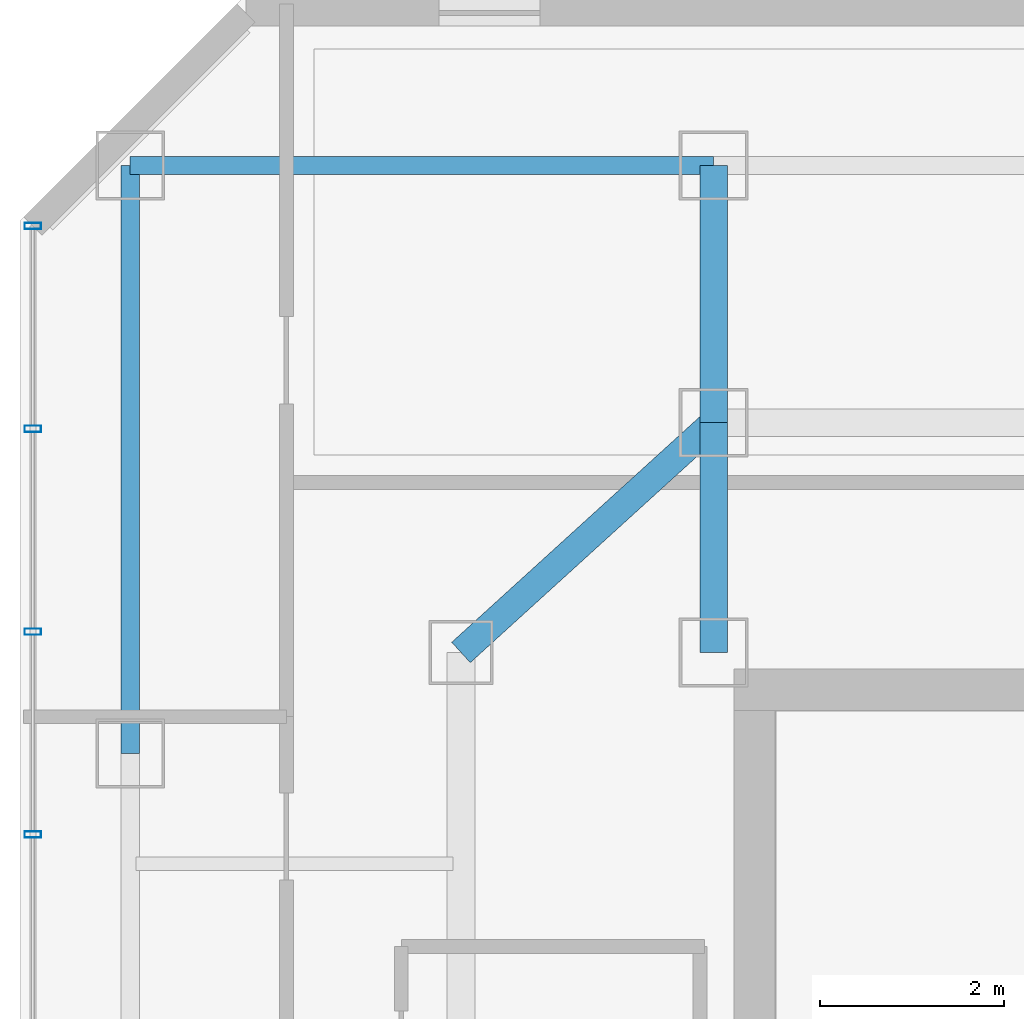
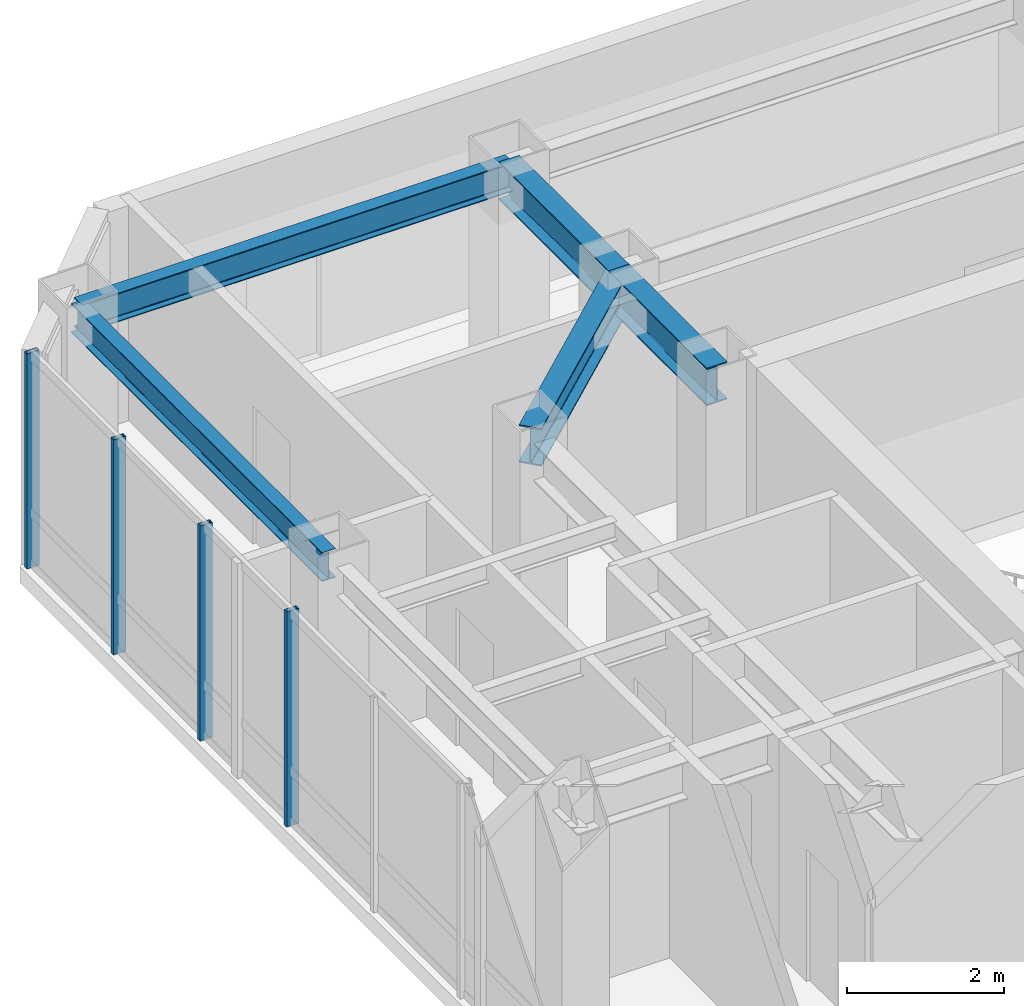
# One storey, part 15 of 24: 5 beams, 4 members, 1 element without a shape of its own.
"""IFC4 building model written with IfcOpenShell, lengths in metres."""

from ifc_helpers import new_model, si_unit, direction, frame, origin, origin_2d, place, context, subcontext, project, spatial, hollow_rectangle, i_section, extrude, material, layer, layer_set, material_profile, profile_set, type_object, element, aggregate, save


model = new_model("IFC4")

# Units and contexts
model_context = context("Model", 3, precision=1e-05, world=origin(), true_north=direction((0.0, 1.0)))
body_context = subcontext(model_context, "Body", "Model", "MODEL_VIEW")
ifc_project = project(units=[si_unit("LENGTHUNIT", "METRE"), si_unit("AREAUNIT", "SQUARE_METRE"), si_unit("VOLUMEUNIT", "CUBIC_METRE"), si_unit("PLANEANGLEUNIT", "RADIAN"), si_unit("MASSUNIT", "GRAM", prefix="KILO")], contexts=[model_context])

# Site, building, storey
site_placement = place(None, origin())
site = spatial("IfcSite", under=ifc_project, at=site_placement, CompositionType="ELEMENT")
building_placement = place(site_placement, origin())
building = spatial("IfcBuilding", under=site, at=building_placement, Name="Hatsunagi Terrace Concourse", CompositionType="ELEMENT")
storey_placement = place(building_placement, frame((0.0, 0.0, 213.14990234375)))
storey = spatial("IfcBuildingStorey", under=building, at=storey_placement, Name="L56", CompositionType="ELEMENT", Elevation=213.14990234375)

# Curtain wall, members
ifc_material_1 = material(Name="Anodised Aluminium Alloy 6063-T5", Category="aluminium")
ifc_layer = layer(ifc_material_1, 0.199951171875)
ifc_layer_set = layer_set([ifc_layer], Name="OfficeZone2_CW04")
curtain_wall_type = type_object("IfcCurtainWallType", Name="OfficeZone2_CW04", PredefinedType="NOTDEFINED", material=ifc_layer_set)
curtain_wall_placement = place(storey_placement, origin())
curtain_wall = element("IfcCurtainWall", 1, at=curtain_wall_placement, inside=storey, type_object=curtain_wall_type, Name="Unitised Curtain Wall CW-04 CW-L56-08", PredefinedType="NOTDEFINED")
ifc_material_2 = material(Name="Anodised Aluminium Alloy 6063-T5", Category="aluminium")
ifc_material_profile_1 = material_profile(ifc_material_2, hollow_rectangle(XDim=0.070068359375, YDim=0.179931640625, WallThickness=0.00390625, at=origin_2d()), Name="ALU-MUL-180x70x4")
ifc_profile_set_1 = profile_set([ifc_material_profile_1], Name="Anodised Aluminium Alloy 6063-T5")
member_type = type_object("IfcMemberType", Name="CurtainWallMullion_180x70", PredefinedType="MULLION", material=ifc_profile_set_1)
member_1_placement = place(storey_placement, frame((18.139892578125, 41.31689453125, 0.0), z_axis=(0.0, 0.0, 1.0), x_axis=(0.0, 1.0, 0.0)))
member_1 = element("IfcMember", 2, at=member_1_placement, type_object=member_type, Name="Curtain Wall Mullion MUL-02", PredefinedType="MULLION", context=body_context, shape_type="SweptSolid", body=[
    extrude(hollow_rectangle(XDim=0.070068359375, YDim=0.179931640625, WallThickness=0.00390625, at=origin_2d()), origin(), (0.0, 0.0, 1.0), 3.35009765625),
])
member_2_placement = place(storey_placement, frame((18.139892578125, 43.52490234375, 0.0), z_axis=(0.0, 0.0, 1.0), x_axis=(0.0, 1.0, 0.0)))
member_2 = element("IfcMember", 3, at=member_2_placement, type_object=member_type, Name="Curtain Wall Mullion MUL-02", PredefinedType="MULLION", context=body_context, shape_type="SweptSolid", body=[
    extrude(hollow_rectangle(XDim=0.070068359375, YDim=0.179931640625, WallThickness=0.00390625, at=origin_2d()), origin(), (0.0, 0.0, 1.0), 3.35009765625),
])
member_3_placement = place(storey_placement, frame((18.139892578125, 45.73388671875, 0.0), z_axis=(0.0, 0.0, 1.0), x_axis=(0.0, 1.0, 0.0)))
member_3 = element("IfcMember", 4, at=member_3_placement, type_object=member_type, Name="Curtain Wall Mullion MUL-02", PredefinedType="MULLION", context=body_context, shape_type="SweptSolid", body=[
    extrude(hollow_rectangle(XDim=0.070068359375, YDim=0.179931640625, WallThickness=0.00390625, at=origin_2d()), origin(), (0.0, 0.0, 1.0), 3.35009765625),
])
member_4_placement = place(storey_placement, frame((18.139892578125, 47.94189453125, 0.0), z_axis=(0.0, 0.0, 1.0), x_axis=(0.0, 1.0, 0.0)))
member_4 = element("IfcMember", 5, at=member_4_placement, type_object=member_type, Name="Curtain Wall Mullion MUL-02", PredefinedType="MULLION", context=body_context, shape_type="SweptSolid", body=[
    extrude(hollow_rectangle(XDim=0.070068359375, YDim=0.179931640625, WallThickness=0.00390625, at=origin_2d()), origin(), (0.0, 0.0, 1.0), 3.35009765625),
])
aggregate(curtain_wall, [member_1, member_2, member_3, member_4])

# Beams
ifc_material_3 = material(Name="Steel SN490B", Category="steel")
ifc_material_profile_2 = material_profile(ifc_material_3, i_section(OverallWidth=0.300048828125, OverallDepth=0.587890625, WebThickness=0.011962890625, FlangeThickness=0.02001953125, FilletRadius=0.01806640625, at=origin_2d()), Name="H-588x300x12x20")
ifc_profile_set_2 = profile_set([ifc_material_profile_2], Name="Steel SN490B")
beam_type_1 = type_object("IfcBeamType", Name="OfficeHighGirder_H_588x300", PredefinedType="BEAM", material=ifc_profile_set_2)
beam_1_placement = place(storey_placement, frame((25.550048828125, 43.300048828125, 3.05615234375), z_axis=(0.0, 1.0, 0.0), x_axis=(-1.0, 0.0, 0.0)))
element("IfcBeam", 6, at=beam_1_placement, inside=storey, type_object=beam_type_1, Name="Beam G-06 BM-L56-CN1", PredefinedType="BEAM", context=body_context, shape_type="SweptSolid", body=[
    extrude(i_section(OverallWidth=0.300048828125, OverallDepth=0.587890625, WebThickness=0.011962890625, FlangeThickness=0.02001953125, FilletRadius=0.01806640625, at=origin_2d()), origin(), (0.0, 0.0, 1.0), 2.5),
])
beam_2_placement = place(storey_placement, frame((25.550048828125, 45.800048828125, 3.05615234375), z_axis=(0.0, 1.0, 0.0), x_axis=(-1.0, 0.0, 0.0)))
element("IfcBeam", 7, at=beam_2_placement, inside=storey, type_object=beam_type_1, Name="Beam G-06 BM-L56-KN-WN4", PredefinedType="BEAM", context=body_context, shape_type="SweptSolid", body=[
    extrude(i_section(OverallWidth=0.300048828125, OverallDepth=0.587890625, WebThickness=0.011962890625, FlangeThickness=0.02001953125, FilletRadius=0.01806640625, at=origin_2d()), origin(), (0.0, 0.0, 1.0), 2.800048828125),
])
beam_3_placement = place(storey_placement, frame((22.800048828125, 43.300048828125, 3.05615234375), z_axis=(0.739940073396, 0.672672793996, 0.0), x_axis=(-0.672672793996, 0.739940073396, 0.0)))
element("IfcBeam", 8, at=beam_3_placement, inside=storey, type_object=beam_type_1, Name="Beam G-06 BM-L56-CWEW-N", PredefinedType="BEAM", context=body_context, shape_type="SweptSolid", body=[
    extrude(i_section(OverallWidth=0.300048828125, OverallDepth=0.587890625, WebThickness=0.011962890625, FlangeThickness=0.02001953125, FilletRadius=0.01806640625, at=origin_2d()), origin(), (0.0, 0.0, 1.0), 3.716552734375),
])
ifc_material_4 = material(Name="Steel SN490B", Category="steel")
ifc_material_profile_3 = material_profile(ifc_material_4, i_section(OverallWidth=0.199951171875, OverallDepth=0.449951171875, WebThickness=0.009033203125, FlangeThickness=0.013916015625, FilletRadius=0.01611328125, at=origin_2d()), Name="H-450x200x9x14")
ifc_profile_set_3 = profile_set([ifc_material_profile_3], Name="Steel SN490B")
beam_type_2 = type_object("IfcBeamType", Name="PerimeterSpandrel_H_450x200", PredefinedType="SPANDREL", material=ifc_profile_set_3)
beam_4_placement = place(storey_placement, frame((19.199951171875, 48.60009765625, 3.125), z_axis=(1.0, 0.0, 0.0), x_axis=(0.0, 1.0, 0.0)))
element("IfcBeam", 9, at=beam_4_placement, inside=storey, type_object=beam_type_2, Name="Beam SP-02 BM-L56-WN-19", PredefinedType="SPANDREL", context=body_context, shape_type="SweptSolid", body=[
    extrude(i_section(OverallWidth=0.199951171875, OverallDepth=0.449951171875, WebThickness=0.009033203125, FlangeThickness=0.013916015625, FilletRadius=0.01611328125, at=origin_2d()), origin(), (0.0, 0.0, 1.0), 6.35009765625),
])
beam_5_placement = place(storey_placement, frame((19.199951171875, 42.199951171875, 3.125), z_axis=(0.0, 1.0, 0.0), x_axis=(-1.0, 0.0, 0.0)))
element("IfcBeam", 10, at=beam_5_placement, inside=storey, type_object=beam_type_2, Name="Beam SP-02 BM-L56-NS-19-42", PredefinedType="SPANDREL", context=body_context, shape_type="SweptSolid", body=[
    extrude(i_section(OverallWidth=0.199951171875, OverallDepth=0.449951171875, WebThickness=0.009033203125, FlangeThickness=0.013916015625, FilletRadius=0.01611328125, at=origin_2d()), origin(), (0.0, 0.0, 1.0), 6.400146484375),
])

save(model, "model.ifc")
